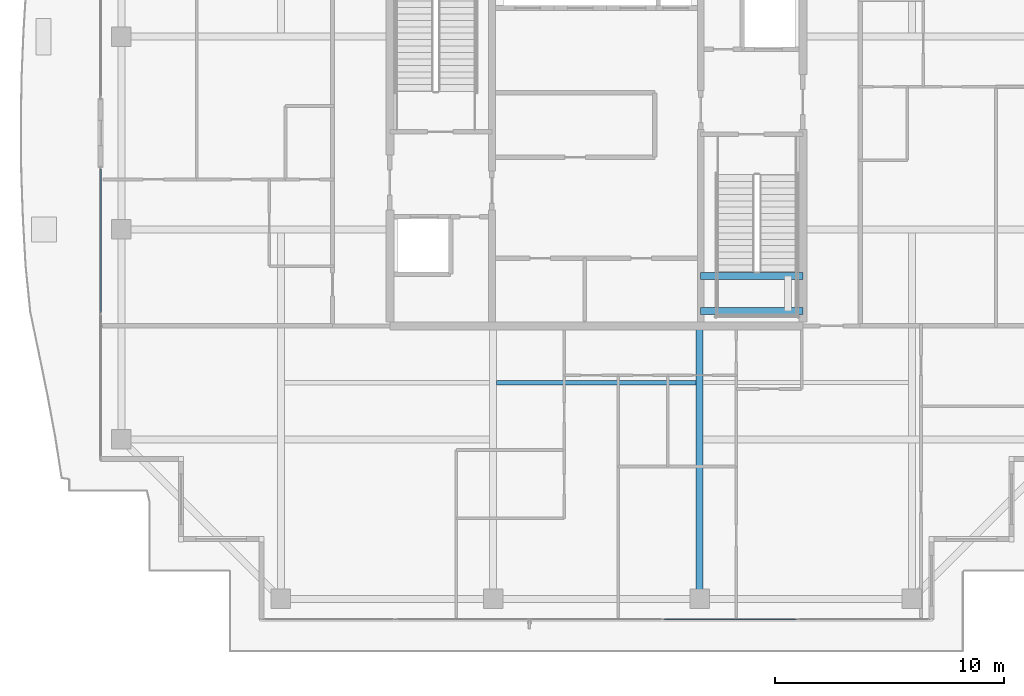
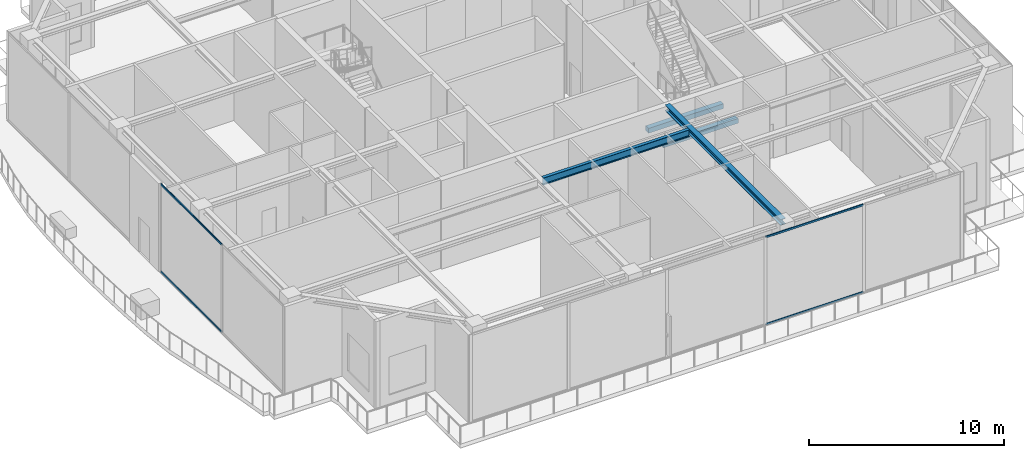
# One storey, part 7 of 38: 4 beams, 4 members, 2 elements without a shape of their own.
"""IFC4 building model written with IfcOpenShell, lengths in metres."""

from ifc_helpers import new_model, si_unit, direction, frame, origin, origin_2d, place, context, subcontext, project, spatial, rectangle, hollow_rectangle, i_section, extrude, source, transform, mapped, material, layer, layer_set, material_profile, profile_set, type_object, element, aggregate, save


model = new_model("IFC4")

# Units and contexts
model_context = context("Model", 3, precision=1e-05, world=origin(), true_north=direction((0.0, 1.0)))
body_context = subcontext(model_context, "Body", "Model", "MODEL_VIEW")
ifc_project = project(units=[si_unit("LENGTHUNIT", "METRE"), si_unit("AREAUNIT", "SQUARE_METRE"), si_unit("VOLUMEUNIT", "CUBIC_METRE"), si_unit("PLANEANGLEUNIT", "RADIAN"), si_unit("MASSUNIT", "GRAM", prefix="KILO")], contexts=[model_context])

# Site, building, storey
site_placement = place(None, origin())
site = spatial("IfcSite", under=ifc_project, at=site_placement, CompositionType="ELEMENT")
building_placement = place(site_placement, origin())
building = spatial("IfcBuilding", under=site, at=building_placement, Name="Serunith Strait Residences", CompositionType="ELEMENT")
storey_placement = place(building_placement, frame((0.0, 0.0, 353.85009765625)))
storey = spatial("IfcBuildingStorey", under=building, at=storey_placement, Name="L87", CompositionType="ELEMENT", Elevation=353.85009765625)

# Beams
ifc_material_1 = material(Name="Steel S355J2", Category="steel")
ifc_material_profile_1 = material_profile(ifc_material_1, i_section(OverallWidth=0.18994140625, OverallDepth=0.449951171875, WebThickness=0.009521484375, FlangeThickness=0.0146484375, FilletRadius=0.02099609375, at=origin_2d()), Name="IPE 450")
ifc_profile_set_1 = profile_set([ifc_material_profile_1], Name="Steel S355J2")
beam_type_1 = type_object("IfcBeamType", Name="BM-IPE450", PredefinedType="JOIST", material=ifc_profile_set_1)
shared_shape_1 = source(origin(), body_context, "Body", "SweptSolid", [
    extrude(i_section(OverallWidth=0.18994140625, OverallDepth=0.449951171875, WebThickness=0.009521484375, FlangeThickness=0.0146484375, FilletRadius=0.02099609375, at=origin_2d()), origin(), (0.0, 0.0, 1.0), 8.699951171875),
])
beam_1_placement = place(storey_placement, frame((28.050048828125, 14.324951171875, 5.31201171875), z_axis=(1.0, 0.0, 0.0), x_axis=(0.0, 1.0, 0.0)))
element("IfcBeam", 1, at=beam_1_placement, inside=storey, type_object=beam_type_1, Name="L87 Composite Floor Joist 02", PredefinedType="JOIST", context=body_context, shape_type="MappedRepresentation", body=[
    mapped(shared_shape_1, transform((0.0, 0.0, 0.0), scale=1.0)),
])
ifc_material_profile_2 = material_profile(ifc_material_1, i_section(OverallWidth=0.300048828125, OverallDepth=0.360107421875, WebThickness=0.012451171875, FlangeThickness=0.0224609375, FilletRadius=0.027099609375, at=origin_2d()), Name="HEB 360")
ifc_profile_set_2 = profile_set([ifc_material_profile_2], Name="Steel S355J2")
beam_type_2 = type_object("IfcBeamType", Name="BM-HEB360", PredefinedType="BEAM", material=ifc_profile_set_2)
shared_shape_2 = source(origin(), body_context, "Body", "SweptSolid", [
    extrude(i_section(OverallWidth=0.300048828125, OverallDepth=0.360107421875, WebThickness=0.012451171875, FlangeThickness=0.0224609375, FilletRadius=0.027099609375, at=origin_2d()), origin(), (0.0, 0.0, 1.0), 11.900146484375),
])
beam_2_placement = place(storey_placement, frame((36.89990234375, 16.800048828125, 5.35693359375), z_axis=(0.0, -1.0, 0.0), x_axis=(1.0, 0.0, 0.0)))
element("IfcBeam", 2, at=beam_2_placement, inside=storey, type_object=beam_type_2, Name="L87 Primary Floor Girder TC-S3", PredefinedType="BEAM", context=body_context, shape_type="MappedRepresentation", body=[
    mapped(shared_shape_2, transform((0.0, 0.0, 0.0), scale=1.0)),
])
ifc_material_2 = material(Name="Concrete C60/75", Category="concrete")
ifc_material_profile_3 = material_profile(ifc_material_2, rectangle(XDim=0.300048828125, YDim=0.300048828125, at=origin_2d()), Name="RC 300x300")
ifc_profile_set_3 = profile_set([ifc_material_profile_3], Name="Concrete C60/75")
beam_type_3 = type_object("IfcBeamType", Name="BM-LAND-300x300", PredefinedType="BEAM", material=ifc_profile_set_3)
shared_shape_3 = source(origin(), body_context, "Body", "SweptSolid", [
    extrude(rectangle(XDim=0.300048828125, YDim=0.300048828125, at=origin_2d()), origin(), (0.0, 0.0, 1.0), 4.449951171875),
])
for number, where, z_axis, x_axis, name in (
    (3, (36.949951171875, 17.449951171875, 2.599853515625), (1.0, 0.0, 0.0), (0.0, 1.0, 0.0), "L87 ST-2 Landing Support Beam 1"),
    (4, (36.949951171875, 18.969970703125, 2.599853515625), (1.0, 0.0, 0.0), (0.0, 1.0, 0.0), "L87 ST-2 Landing Support Beam 2"),
):
    element("IfcBeam", number, at=place(storey_placement, frame(where, z_axis=z_axis, x_axis=x_axis)), inside=storey, type_object=beam_type_3, Name=name, PredefinedType="BEAM", context=body_context, shape_type="MappedRepresentation", body=[
        mapped(shared_shape_3, transform((0.0, 0.0, 0.0), scale=1.0)),
    ])

# Curtain wall, members
ifc_material_3 = material(Name="Brushed Stainless-Silver Aluminium", Category="aluminium")
ifc_layer = layer(ifc_material_3, 0.199951171875, Name="Brushed Stainless-Silver Aluminium")
ifc_layer_set = layer_set([ifc_layer], Name="Brushed Stainless-Silver Aluminium")
curtain_wall_type = type_object("IfcCurtainWallType", Name="CW-SYS5", PredefinedType="NOTDEFINED", material=ifc_layer_set)
curtain_wall_1_placement = place(storey_placement, origin())
curtain_wall_1 = element("IfcCurtainWall", 5, at=curtain_wall_1_placement, inside=storey, type_object=curtain_wall_type, Name="L87 S Unitised Fritted Curtain Wall", PredefinedType="NOTDEFINED")
ifc_material_profile_4 = material_profile(ifc_material_3, hollow_rectangle(XDim=0.06005859375, YDim=0.1201171875, WallThickness=0.00341796875, InnerFilletRadius=0.00537109375, OuterFilletRadius=0.0087890625, at=origin_2d()), Name="ALU 120x60x3.5")
ifc_profile_set_4 = profile_set([ifc_material_profile_4], Name="Brushed Stainless-Silver Aluminium")
member_type = type_object("IfcMemberType", Name="CW-SYS5-TRAN", PredefinedType="USERDEFINED", material=ifc_profile_set_4)
shared_shape_4 = source(origin(), body_context, "Body", "SweptSolid", [
    extrude(hollow_rectangle(XDim=0.06005859375, YDim=0.1201171875, WallThickness=0.00341796875, InnerFilletRadius=0.00537109375, OuterFilletRadius=0.0087890625, at=origin_2d()), origin(), (0.0, 0.0, 1.0), 5.77490234375),
])
member_1_placement = place(storey_placement, frame((35.3525390625, 4.0, 0.02978515625), z_axis=(1.0, 0.0, 0.0), x_axis=(0.0, 1.0, 0.0)))
member_1 = element("IfcMember", 6, at=member_1_placement, type_object=member_type, Name="CW-5 transom 4.1", ObjectType="TRANSOM", PredefinedType="USERDEFINED", context=body_context, shape_type="MappedRepresentation", body=[
    mapped(shared_shape_4, transform((0.0, 0.0, 0.0), scale=1.0)),
])
member_2_placement = place(storey_placement, frame((35.3525390625, 4.0, 5.494873046875), z_axis=(1.0, 0.0, 0.0), x_axis=(0.0, 1.0, 0.0)))
member_2 = element("IfcMember", 7, at=member_2_placement, type_object=member_type, Name="CW-5 transom 4.2", ObjectType="TRANSOM", PredefinedType="USERDEFINED", context=body_context, shape_type="MappedRepresentation", body=[
    mapped(shared_shape_4, transform((0.0, 0.0, 0.0), scale=1.0)),
])
aggregate(curtain_wall_1, [member_1, member_2])

curtain_wall_2_placement = place(storey_placement, origin())
curtain_wall_2 = element("IfcCurtainWall", 8, at=curtain_wall_2_placement, inside=storey, type_object=curtain_wall_type, Name="L87 W Unitised Fritted Curtain Wall", PredefinedType="NOTDEFINED")
shared_shape_5 = source(origin(), body_context, "Body", "SweptSolid", [
    extrude(hollow_rectangle(XDim=0.06005859375, YDim=0.1201171875, WallThickness=0.00341796875, InnerFilletRadius=0.00537109375, OuterFilletRadius=0.0087890625, at=origin_2d()), origin(), (0.0, 0.0, 1.0), 6.25244140625),
])
member_3_placement = place(storey_placement, frame((10.800048828125, 23.635009765625, 0.02978515625), z_axis=(0.0, -1.0, 0.0), x_axis=(1.0, 0.0, 0.0)))
member_3 = element("IfcMember", 9, at=member_3_placement, type_object=member_type, Name="CW-5 transom 1.1", ObjectType="TRANSOM", PredefinedType="USERDEFINED", context=body_context, shape_type="MappedRepresentation", body=[
    mapped(shared_shape_5, transform((0.0, 0.0, 0.0), scale=1.0)),
])
member_4_placement = place(storey_placement, frame((10.800048828125, 23.635009765625, 5.494873046875), z_axis=(0.0, -1.0, 0.0), x_axis=(1.0, 0.0, 0.0)))
member_4 = element("IfcMember", 10, at=member_4_placement, type_object=member_type, Name="CW-5 transom 1.2", ObjectType="TRANSOM", PredefinedType="USERDEFINED", context=body_context, shape_type="MappedRepresentation", body=[
    mapped(shared_shape_5, transform((0.0, 0.0, 0.0), scale=1.0)),
])
aggregate(curtain_wall_2, [member_3, member_4])

save(model, "model.ifc")
